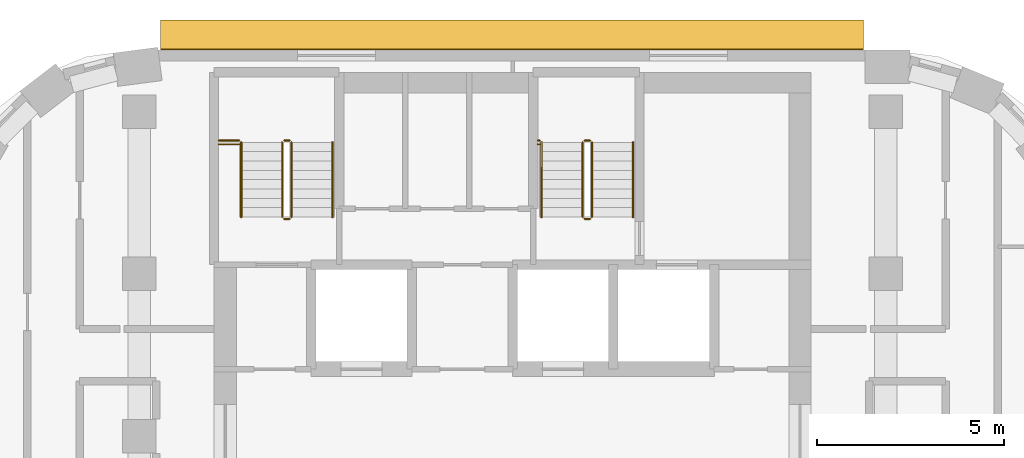
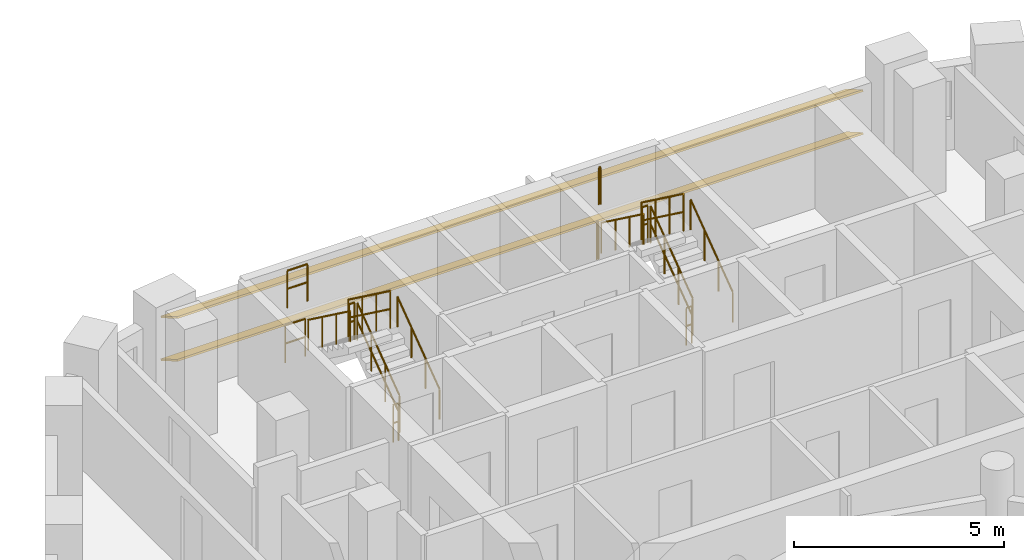
# One storey, part 17 of 18: 16 railings, 2 shading devices.
"""IFC4 building model written with IfcOpenShell, lengths in metres."""

import ifcopenshell
import ifcopenshell.guid

model = None  # the IFC model being written
_history = None  # IfcOwnerHistory: only IFC2X3 demands one
_inside = {}  # id of a spatial element -> (the spatial element, [elements in it])
_under = {}  # id of a project, library or spatial element -> (it, [spatial elements below it])
_declared = {}  # id of a project -> (the project, [libraries it declares])
_typed = {}  # id of a type object -> (the type object, [elements of that type])
_made_of = {}  # id of a material, layer set ... -> (it, [elements and type objects made of it])


def new_model(schema):
    """Start an empty IFC model of exactly this schema.

    Asked for "IFC4X3", IfcOpenShell would pick the latest addendum, in which some entities
    have other attributes; the version numbers below select the first issue.
    IFC2X3 requires an IfcOwnerHistory on every rooted entity: one is made here for all.
    """
    global model, _history
    if schema == "IFC4X3":
        model = ifcopenshell.file(schema_version=(4, 3, 0, 0))
    else:
        model = ifcopenshell.file(schema=schema)
    _inside.clear()
    _under.clear()
    _declared.clear()
    _typed.clear()
    _made_of.clear()
    _history = None
    if model.schema == "IFC2X3":
        org = make("IfcOrganization", Name="unknown")
        user = make(
            "IfcPersonAndOrganization",
            ThePerson=make("IfcPerson", FamilyName="unknown"),
            TheOrganization=org,
        )
        app = make(
            "IfcApplication",
            ApplicationDeveloper=org,
            Version="unknown",
            ApplicationFullName="unknown",
            ApplicationIdentifier="unknown",
        )
        _history = make(
            "IfcOwnerHistory",
            OwningUser=user,
            OwningApplication=app,
            ChangeAction="ADDED",
            CreationDate=0,
        )
    return model


def make(cls, **values):
    """One entity of the class cls with the attributes given. An attribute that is None is left unset."""
    return model.create_entity(
        cls, **{name: value for name, value in values.items() if value is not None}
    )


def rooted(cls, **values):
    """An entity with a GlobalId (a new one), such as an element, a storey or a relation."""
    return make(cls, GlobalId=ifcopenshell.guid.new(), OwnerHistory=_history, **values)


def si_unit(unit_type, name, prefix=None):
    """IfcSIUnit, for example si_unit("LENGTHUNIT", "METRE", prefix="MILLI")."""
    return make("IfcSIUnit", UnitType=unit_type, Prefix=prefix, Name=name)


def assignment(units):
    """IfcUnitAssignment: the units of a project."""
    return None if units is None else make("IfcUnitAssignment", Units=units)


def point(xyz):
    """IfcCartesianPoint."""
    return None if xyz is None else make("IfcCartesianPoint", Coordinates=xyz)


def direction(xyz):
    """IfcDirection."""
    return None if xyz is None else make("IfcDirection", DirectionRatios=xyz)


def frame(location, z_axis=None, x_axis=None):
    """IfcAxis2Placement3D, a coordinate frame: its origin and axes. An axis left out is left unset."""
    return make(
        "IfcAxis2Placement3D",
        Location=point(location),
        Axis=direction(z_axis),
        RefDirection=direction(x_axis),
    )


def frame_2d(location, x_axis=None):
    """IfcAxis2Placement2D, a coordinate frame in the plane: its origin and x axis."""
    return make(
        "IfcAxis2Placement2D", Location=point(location), RefDirection=direction(x_axis)
    )


def origin():
    """The frame at (0, 0, 0) with its axes left unset."""
    return frame((0.0, 0.0, 0.0))


def origin_2d():
    """The frame at (0, 0) in the plane with its x axis left unset."""
    return frame_2d((0.0, 0.0))


def place(relative_to, where):
    """IfcLocalPlacement: puts the frame where relative to a parent placement (None: the world)."""
    return make(
        "IfcLocalPlacement", PlacementRelTo=relative_to, RelativePlacement=where
    )


def context(
    kind, dimensions, precision=None, world=None, true_north=None, identifier=None
):
    """IfcGeometricRepresentationContext, for example the 3D "Model" context."""
    return make(
        "IfcGeometricRepresentationContext",
        ContextIdentifier=identifier,
        ContextType=kind,
        CoordinateSpaceDimension=dimensions,
        Precision=precision,
        WorldCoordinateSystem=world,
        TrueNorth=true_north,
    )


def subcontext(parent, identifier, kind, view, scale=None):
    """IfcGeometricRepresentationSubContext, for example "Body" below "Model"."""
    return make(
        "IfcGeometricRepresentationSubContext",
        ContextIdentifier=identifier,
        ContextType=kind,
        ParentContext=parent,
        TargetScale=scale,
        TargetView=view,
    )


def project(units=None, contexts=None):
    """IfcProject with its units and contexts."""
    return rooted(
        "IfcProject",
        Name="project",
        RepresentationContexts=contexts,
        UnitsInContext=assignment(units),
    )


def spatial(cls, under=None, at=None, **own):
    """A site, building, storey or space (cls), placed at a placement, below another one or the project."""
    s = rooted(cls, ObjectPlacement=at, **own)
    if under is not None:
        _under.setdefault(under.id(), (under, []))[1].append(s)
    return s


def profile(cls, at=None, kind="AREA", **sizes):
    """A parametric profile (cls). Its sizes go by their IFC names, for example OverallWidth=200.0."""
    return make(cls, ProfileType=kind, Position=at, **sizes)


def rectangle(**sizes):
    """IfcRectangleProfileDef."""
    return profile("IfcRectangleProfileDef", **sizes)


def circle(**sizes):
    """IfcCircleProfileDef."""
    return profile("IfcCircleProfileDef", **sizes)


def extrude(swept, where, along, depth):
    """IfcExtrudedAreaSolid: the profile swept, set in the frame where, extruded along a direction by depth."""
    return make(
        "IfcExtrudedAreaSolid",
        SweptArea=swept,
        Position=where,
        ExtrudedDirection=direction(along),
        Depth=depth,
    )


def shape(context_of_items, identifier, shape_type, items):
    """IfcShapeRepresentation: the items that make up one representation, for example the "Body"."""
    return make(
        "IfcShapeRepresentation",
        ContextOfItems=context_of_items,
        RepresentationIdentifier=identifier,
        RepresentationType=shape_type,
        Items=items,
    )


def material(Name=None, Category=None):
    """IfcMaterial."""
    return make("IfcMaterial", Name=Name, Category=Category)


def material_profile(
    of_material, cross_section, Name=None, Category=None, Priority=None
):
    """IfcMaterialProfile: a cross section and its material."""
    return make(
        "IfcMaterialProfile",
        Name=Name,
        Material=of_material,
        Profile=cross_section,
        Priority=Priority,
        Category=Category,
    )


def profile_set(profiles, Name=None, composite=None):
    """IfcMaterialProfileSet."""
    return make(
        "IfcMaterialProfileSet",
        Name=Name,
        MaterialProfiles=profiles,
        CompositeProfile=composite,
    )


def made_of(thing, what):
    """Note that an element or type object is made of a material, layer set ...; save() writes the relation."""
    if what is not None:
        _made_of.setdefault(what.id(), (what, []))[1].append(thing)
    return thing


def type_object(cls, material=None, **own):
    """A type object (cls), such as IfcWallType, which elements share."""
    return made_of(rooted(cls, **own), material)


def element(
    cls,
    number,
    at=None,
    inside=None,
    cuts=None,
    type_object=None,
    material=None,
    context=None,
    identifier="Body",
    shape_type=None,
    held_by="IfcProductDefinitionShape",
    body=None,
    shapes=None,
    **own,
):
    """One element of the class cls, such as IfcWall. Its Tag is "e" and its number.

    at: its placement. inside: the storey or other place that contains it. cuts: it is an
    opening in that element (IfcRelVoidsElement). A single representation is given by context,
    identifier, shape_type and body (its items); several are given by shapes. held_by: the class
    of the entity that holds the representations. save() writes the other relations.
    """
    e = rooted(cls, Tag="e%d" % number, ObjectPlacement=at, **own)
    if body is not None:
        shapes = [shape(context, identifier, shape_type, body)]
    if shapes is not None:
        e.Representation = make(held_by, Representations=shapes)
    if inside is not None:
        _inside.setdefault(inside.id(), (inside, []))[1].append(e)
    if cuts is not None:
        rooted(
            "IfcRelVoidsElement", RelatingBuildingElement=cuts, RelatedOpeningElement=e
        )
    if type_object is not None:
        _typed.setdefault(type_object.id(), (type_object, []))[1].append(e)
    return made_of(e, material)


def aggregate(whole, parts):
    """IfcRelAggregates: a whole, such as a stair, and the parts it consists of."""
    return rooted("IfcRelAggregates", RelatingObject=whole, RelatedObjects=parts)


def save(model, path):
    """Write the relations noted so far, then the file.

    IfcRelAggregates (storeys below a building ...), IfcRelContainedInSpatialStructure (elements
    in a storey), IfcRelDefinesByType, IfcRelAssociatesMaterial and IfcRelDeclares: one each for
    every whole, place, type object, material and project.
    """
    for whole, parts in _under.values():
        aggregate(whole, parts)
    for where, things in _inside.values():
        rooted(
            "IfcRelContainedInSpatialStructure",
            RelatedElements=things,
            RelatingStructure=where,
        )
    for kind, things in _typed.values():
        rooted("IfcRelDefinesByType", RelatedObjects=things, RelatingType=kind)
    for what, things in _made_of.values():
        rooted("IfcRelAssociatesMaterial", RelatedObjects=things, RelatingMaterial=what)
    for by, libraries in _declared.values():
        rooted("IfcRelDeclares", RelatingContext=by, RelatedDefinitions=libraries)
    model.write(path)


model = new_model("IFC4")

# Units and contexts
model_context = context("Model", 3, precision=1e-05, world=origin(), true_north=direction((0.0, 1.0)))
body_context = subcontext(model_context, "Body", "Model", "MODEL_VIEW")
ifc_project = project(units=[si_unit("LENGTHUNIT", "METRE"), si_unit("AREAUNIT", "SQUARE_METRE"), si_unit("VOLUMEUNIT", "CUBIC_METRE"), si_unit("PLANEANGLEUNIT", "RADIAN"), si_unit("MASSUNIT", "GRAM", prefix="KILO")], contexts=[model_context])

# Site, building, storey
site_placement = place(None, origin())
site = spatial("IfcSite", under=ifc_project, at=site_placement, CompositionType="ELEMENT")
building_placement = place(site_placement, origin())
building = spatial("IfcBuilding", under=site, at=building_placement, Name="Nakaniwa Court", CompositionType="ELEMENT")
storey_placement = place(building_placement, frame((0.0, 0.0, 180.0)))
storey = spatial("IfcBuildingStorey", under=building, at=storey_placement, Name="L46", CompositionType="ELEMENT", Elevation=180.0)

# Shading devices
ifc_material_1 = material(Name="Perforated charcoal ceramic louvre blade")
ifc_material_profile = material_profile(ifc_material_1, rectangle(XDim=0.89990234375, YDim=0.050048828125, at=origin_2d()), Name="Perforated ceramic louvre blade")
ifc_profile_set = profile_set([ifc_material_profile], Name="Perforated charcoal ceramic louvre blade")
shading_device_type = type_object("IfcShadingDeviceType", Name="Perforated ceramic louvre blade", PredefinedType="JALOUSIE", material=ifc_profile_set)
for number, where, z_axis, x_axis, name in (
    (1, (89.3994140625, 103.05224609375, 0.550048828125), (-1.0, 0.0, 0.0), (0.0, -0.866025403784, 0.5), "L46 perforated ceramic louvre blade w08 1"),
    (2, (89.3994140625, 103.05224609375, 1.793212890625), (-1.0, 0.0, 0.0), (0.0, -0.866025403784, 0.5), "L46 perforated ceramic louvre blade w08 2"),
):
    element("IfcShadingDevice", number, at=place(storey_placement, frame(where, z_axis=z_axis, x_axis=x_axis)), inside=storey, type_object=shading_device_type, Name=name, PredefinedType="JALOUSIE", context=body_context, shape_type="SweptSolid", body=[
        extrude(rectangle(XDim=0.89990234375, YDim=0.050048828125, at=origin_2d()), origin(), (0.0, 0.0, 1.0), 18.8330078125),
    ])

# Railings
ifc_material_2 = material(Name="Black powder coated steel guard", Category="steel")
railing_type_1 = type_object("IfcRailingType", Name="Stair guard 1100", PredefinedType="GUARDRAIL", material=ifc_material_2)
railing_1_placement = place(storey_placement, frame((74.074951171875, 98.175048828125, 0.183349609375)))
element("IfcRailing", 3, at=railing_1_placement, inside=storey, type_object=railing_type_1, Name="L46 ST1 stair guard 1", PredefinedType="GUARDRAIL", context=body_context, shape_type="SweptSolid", body=[
    extrude(circle(Radius=0.02392578125, at=origin_2d()), frame((0.0, 0.0, 1.076171875), z_axis=(0.0, 0.806426902644, 0.591333789573), x_axis=(-1.0, 0.0, 0.0)), (0.0, 0.0, 1.0), 2.47998046875),
    extrude(circle(Radius=0.02392578125, at=origin_2d()), frame((0.0, 0.0, 0.550048828125), z_axis=(0.0, 0.806426902644, 0.591333789573), x_axis=(-1.0, 0.0, 0.0)), (0.0, 0.0, 1.0), 2.47998046875),
    extrude(circle(Radius=0.02099609375, at=origin_2d()), origin(), (0.0, 0.0, 1.0), 1.052001953125),
    extrude(circle(Radius=0.02099609375, at=origin_2d()), frame((0.0, 0.666748046875, 0.48876953125)), (0.0, 0.0, 1.0), 1.052001953125),
    extrude(circle(Radius=0.02099609375, at=origin_2d()), frame((0.0, 1.333251953125, 0.977783203125)), (0.0, 0.0, 1.0), 1.052001953125),
    extrude(circle(Radius=0.02099609375, at=origin_2d()), frame((0.0, 2.0, 1.466552734375)), (0.0, 0.0, 1.0), 1.052001953125),
])
railing_2_placement = place(storey_placement, frame((74.02490234375, 100.22509765625, 1.64990234375)))
element("IfcRailing", 4, at=railing_2_placement, inside=storey, type_object=railing_type_1, Name="L46 ST1 stair guard 2", PredefinedType="GUARDRAIL", context=body_context, shape_type="SweptSolid", body=[
    extrude(circle(Radius=0.02392578125, at=origin_2d()), frame((0.0, 0.0, 1.076171875), z_axis=(-1.0, 0.0, 0.0), x_axis=(0.0, -1.0, 0.0)), (0.0, 0.0, 1.0), 0.14990234375),
    extrude(circle(Radius=0.02392578125, at=origin_2d()), frame((0.0, 0.0, 0.550048828125), z_axis=(-1.0, 0.0, 0.0), x_axis=(0.0, -1.0, 0.0)), (0.0, 0.0, 1.0), 0.14990234375),
    extrude(circle(Radius=0.02099609375, at=origin_2d()), origin(), (0.0, 0.0, 1.0), 1.052001953125),
    extrude(circle(Radius=0.02099609375, at=origin_2d()), frame((-0.14990234375, 0.0, 0.0)), (0.0, 0.0, 1.0), 1.052001953125),
])
railing_3_placement = place(storey_placement, frame((73.824951171875, 100.175048828125, 1.833251953125)))
element("IfcRailing", 5, at=railing_3_placement, inside=storey, type_object=railing_type_1, Name="L46 ST1 stair guard 3", PredefinedType="GUARDRAIL", context=body_context, shape_type="SweptSolid", body=[
    extrude(circle(Radius=0.02392578125, at=origin_2d()), frame((0.0, 0.0, 1.076171875), z_axis=(0.0, -0.806379959628, 0.591397802423), x_axis=(1.0, 0.0, 0.0)), (0.0, 0.0, 1.0), 2.480224609375),
    extrude(circle(Radius=0.02392578125, at=origin_2d()), frame((0.0, 0.0, 0.550048828125), z_axis=(0.0, -0.806379959628, 0.591397802423), x_axis=(1.0, 0.0, 0.0)), (0.0, 0.0, 1.0), 2.480224609375),
    extrude(circle(Radius=0.02099609375, at=origin_2d()), origin(), (0.0, 0.0, 1.0), 1.052001953125),
    extrude(circle(Radius=0.02099609375, at=origin_2d()), frame((0.0, -0.666748046875, 0.489013671875)), (0.0, 0.0, 1.0), 1.052001953125),
    extrude(circle(Radius=0.02099609375, at=origin_2d()), frame((0.0, -1.333251953125, 0.977783203125)), (0.0, 0.0, 1.0), 1.052001953125),
    extrude(circle(Radius=0.02099609375, at=origin_2d()), frame((0.0, -2.0, 1.466796875)), (0.0, 0.0, 1.0), 1.052001953125),
])
railing_4_placement = place(storey_placement, frame((74.02490234375, 98.125, 0.0)))
element("IfcRailing", 6, at=railing_4_placement, inside=storey, type_object=railing_type_1, Name="L46 ST1 stair guard 4", PredefinedType="GUARDRAIL", context=body_context, shape_type="SweptSolid", body=[
    extrude(circle(Radius=0.02392578125, at=origin_2d()), frame((0.0, 0.0, 1.076171875), z_axis=(-1.0, 0.0, 0.0), x_axis=(0.0, -1.0, 0.0)), (0.0, 0.0, 1.0), 0.14990234375),
    extrude(circle(Radius=0.02392578125, at=origin_2d()), frame((0.0, 0.0, 0.550048828125), z_axis=(-1.0, 0.0, 0.0), x_axis=(0.0, -1.0, 0.0)), (0.0, 0.0, 1.0), 0.14990234375),
    extrude(circle(Radius=0.02099609375, at=origin_2d()), origin(), (0.0, 0.0, 1.0), 1.052001953125),
    extrude(circle(Radius=0.02099609375, at=origin_2d()), frame((-0.14990234375, 0.0, 0.0)), (0.0, 0.0, 1.0), 1.052001953125),
])
for number, where, name in (
    (7, (72.125, 100.22509765625, 1.64990234375), "L46 ST1 landing side guard 1W"),
    (8, (72.125, 100.125, 3.300048828125), "L46 ST1 floor edge guard 1W"),
):
    element("IfcRailing", number, at=place(storey_placement, frame(where)), inside=storey, type_object=railing_type_1, Name=name, PredefinedType="GUARDRAIL", context=body_context, shape_type="SweptSolid", body=[
        extrude(circle(Radius=0.02392578125, at=origin_2d()), frame((0.0, 0.0, 1.076171875), z_axis=(1.0, 0.0, 0.0), x_axis=(0.0, 1.0, 0.0)), (0.0, 0.0, 1.0), 0.550048828125),
        extrude(circle(Radius=0.02392578125, at=origin_2d()), frame((0.0, 0.0, 0.550048828125), z_axis=(1.0, 0.0, 0.0), x_axis=(0.0, 1.0, 0.0)), (0.0, 0.0, 1.0), 0.550048828125),
        extrude(circle(Radius=0.02099609375, at=origin_2d()), origin(), (0.0, 0.0, 1.0), 1.052001953125),
        extrude(circle(Radius=0.02099609375, at=origin_2d()), frame((0.550048828125, 0.0, 0.0)), (0.0, 0.0, 1.0), 1.052001953125),
    ])
railing_5_placement = place(storey_placement, frame((82.125, 98.175048828125, 0.183349609375)))
element("IfcRailing", 9, at=railing_5_placement, inside=storey, type_object=railing_type_1, Name="L46 ST2 stair guard 1", PredefinedType="GUARDRAIL", context=body_context, shape_type="SweptSolid", body=[
    extrude(circle(Radius=0.02392578125, at=origin_2d()), frame((0.0, 0.0, 1.076171875), z_axis=(0.0, 0.806426902644, 0.591333789573), x_axis=(-1.0, 0.0, 0.0)), (0.0, 0.0, 1.0), 2.47998046875),
    extrude(circle(Radius=0.02392578125, at=origin_2d()), frame((0.0, 0.0, 0.550048828125), z_axis=(0.0, 0.806426902644, 0.591333789573), x_axis=(-1.0, 0.0, 0.0)), (0.0, 0.0, 1.0), 2.47998046875),
    extrude(circle(Radius=0.02099609375, at=origin_2d()), origin(), (0.0, 0.0, 1.0), 1.052001953125),
    extrude(circle(Radius=0.02099609375, at=origin_2d()), frame((0.0, 0.666748046875, 0.48876953125)), (0.0, 0.0, 1.0), 1.052001953125),
    extrude(circle(Radius=0.02099609375, at=origin_2d()), frame((0.0, 1.333251953125, 0.977783203125)), (0.0, 0.0, 1.0), 1.052001953125),
    extrude(circle(Radius=0.02099609375, at=origin_2d()), frame((0.0, 2.0, 1.466552734375)), (0.0, 0.0, 1.0), 1.052001953125),
])
railing_6_placement = place(storey_placement, frame((82.074951171875, 100.22509765625, 1.64990234375)))
element("IfcRailing", 10, at=railing_6_placement, inside=storey, type_object=railing_type_1, Name="L46 ST2 stair guard 2", PredefinedType="GUARDRAIL", context=body_context, shape_type="SweptSolid", body=[
    extrude(circle(Radius=0.02392578125, at=origin_2d()), frame((0.0, 0.0, 1.076171875), z_axis=(-1.0, 0.0, 0.0), x_axis=(0.0, -1.0, 0.0)), (0.0, 0.0, 1.0), 0.14990234375),
    extrude(circle(Radius=0.02392578125, at=origin_2d()), frame((0.0, 0.0, 0.550048828125), z_axis=(-1.0, 0.0, 0.0), x_axis=(0.0, -1.0, 0.0)), (0.0, 0.0, 1.0), 0.14990234375),
    extrude(circle(Radius=0.02099609375, at=origin_2d()), origin(), (0.0, 0.0, 1.0), 1.052001953125),
    extrude(circle(Radius=0.02099609375, at=origin_2d()), frame((-0.14990234375, 0.0, 0.0)), (0.0, 0.0, 1.0), 1.052001953125),
])
railing_7_placement = place(storey_placement, frame((81.875, 100.175048828125, 1.833251953125)))
element("IfcRailing", 11, at=railing_7_placement, inside=storey, type_object=railing_type_1, Name="L46 ST2 stair guard 3", PredefinedType="GUARDRAIL", context=body_context, shape_type="SweptSolid", body=[
    extrude(circle(Radius=0.02392578125, at=origin_2d()), frame((0.0, 0.0, 1.076171875), z_axis=(0.0, -0.806379959628, 0.591397802423), x_axis=(1.0, 0.0, 0.0)), (0.0, 0.0, 1.0), 2.480224609375),
    extrude(circle(Radius=0.02392578125, at=origin_2d()), frame((0.0, 0.0, 0.550048828125), z_axis=(0.0, -0.806379959628, 0.591397802423), x_axis=(1.0, 0.0, 0.0)), (0.0, 0.0, 1.0), 2.480224609375),
    extrude(circle(Radius=0.02099609375, at=origin_2d()), origin(), (0.0, 0.0, 1.0), 1.052001953125),
    extrude(circle(Radius=0.02099609375, at=origin_2d()), frame((0.0, -0.666748046875, 0.489013671875)), (0.0, 0.0, 1.0), 1.052001953125),
    extrude(circle(Radius=0.02099609375, at=origin_2d()), frame((0.0, -1.333251953125, 0.977783203125)), (0.0, 0.0, 1.0), 1.052001953125),
    extrude(circle(Radius=0.02099609375, at=origin_2d()), frame((0.0, -2.0, 1.466796875)), (0.0, 0.0, 1.0), 1.052001953125),
])
railing_8_placement = place(storey_placement, frame((82.074951171875, 98.125, 0.0)))
element("IfcRailing", 12, at=railing_8_placement, inside=storey, type_object=railing_type_1, Name="L46 ST2 stair guard 4", PredefinedType="GUARDRAIL", context=body_context, shape_type="SweptSolid", body=[
    extrude(circle(Radius=0.02392578125, at=origin_2d()), frame((0.0, 0.0, 1.076171875), z_axis=(-1.0, 0.0, 0.0), x_axis=(0.0, -1.0, 0.0)), (0.0, 0.0, 1.0), 0.14990234375),
    extrude(circle(Radius=0.02392578125, at=origin_2d()), frame((0.0, 0.0, 0.550048828125), z_axis=(-1.0, 0.0, 0.0), x_axis=(0.0, -1.0, 0.0)), (0.0, 0.0, 1.0), 0.14990234375),
    extrude(circle(Radius=0.02099609375, at=origin_2d()), origin(), (0.0, 0.0, 1.0), 1.052001953125),
    extrude(circle(Radius=0.02099609375, at=origin_2d()), frame((-0.14990234375, 0.0, 0.0)), (0.0, 0.0, 1.0), 1.052001953125),
])
for number, where, name in (
    (13, (80.675048828125, 100.22509765625, 1.64990234375), "L46 ST2 landing side guard 1W"),
    (14, (80.675048828125, 100.125, 3.300048828125), "L46 ST2 floor edge guard 1W"),
):
    element("IfcRailing", number, at=place(storey_placement, frame(where)), inside=storey, type_object=railing_type_1, Name=name, PredefinedType="GUARDRAIL", context=body_context, shape_type="SweptSolid", body=[
        extrude(circle(Radius=0.02392578125, at=origin_2d()), frame((0.0, 0.0, 1.076171875), z_axis=(1.0, 0.0, 0.0), x_axis=(0.0, 1.0, 0.0)), (0.0, 0.0, 1.0), 0.050048828125),
        extrude(circle(Radius=0.02392578125, at=origin_2d()), frame((0.0, 0.0, 0.550048828125), z_axis=(1.0, 0.0, 0.0), x_axis=(0.0, 1.0, 0.0)), (0.0, 0.0, 1.0), 0.050048828125),
        extrude(circle(Radius=0.02099609375, at=origin_2d()), origin(), (0.0, 0.0, 1.0), 1.052001953125),
        extrude(circle(Radius=0.02099609375, at=origin_2d()), frame((0.050048828125, 0.0, 0.0)), (0.0, 0.0, 1.0), 1.052001953125),
    ])
ifc_material_3 = material(Name="Black powder coated steel handrail", Category="steel")
railing_type_2 = type_object("IfcRailingType", Name="Stair handrail 900", PredefinedType="HANDRAIL", material=ifc_material_3)
railing_9_placement = place(storey_placement, frame((75.175048828125, 98.175048828125, 0.183349609375)))
element("IfcRailing", 15, at=railing_9_placement, inside=storey, type_object=railing_type_2, Name="L46 ST1 stair handrail 1", PredefinedType="HANDRAIL", context=body_context, shape_type="SweptSolid", body=[
    extrude(circle(Radius=0.02392578125, at=origin_2d()), frame((0.0, 0.0, 0.8759765625), z_axis=(0.0, 0.806426902644, 0.591333789573), x_axis=(-1.0, 0.0, 0.0)), (0.0, 0.0, 1.0), 2.47998046875),
    extrude(circle(Radius=0.02099609375, at=origin_2d()), origin(), (0.0, 0.0, 1.0), 0.851806640625),
    extrude(circle(Radius=0.02099609375, at=origin_2d()), frame((0.0, 0.666748046875, 0.48876953125)), (0.0, 0.0, 1.0), 0.851806640625),
    extrude(circle(Radius=0.02099609375, at=origin_2d()), frame((0.0, 1.333251953125, 0.977783203125)), (0.0, 0.0, 1.0), 0.851806640625),
    extrude(circle(Radius=0.02099609375, at=origin_2d()), frame((0.0, 2.0, 1.466552734375)), (0.0, 0.0, 1.0), 0.851806640625),
])
railing_10_placement = place(storey_placement, frame((72.72509765625, 100.175048828125, 1.833251953125)))
element("IfcRailing", 16, at=railing_10_placement, inside=storey, type_object=railing_type_2, Name="L46 ST1 stair handrail 2", PredefinedType="HANDRAIL", context=body_context, shape_type="SweptSolid", body=[
    extrude(circle(Radius=0.02392578125, at=origin_2d()), frame((0.0, 0.0, 0.8759765625), z_axis=(0.0, -0.806379959628, 0.591397802423), x_axis=(1.0, 0.0, 0.0)), (0.0, 0.0, 1.0), 2.480224609375),
    extrude(circle(Radius=0.02099609375, at=origin_2d()), origin(), (0.0, 0.0, 1.0), 0.851806640625),
    extrude(circle(Radius=0.02099609375, at=origin_2d()), frame((0.0, -0.666748046875, 0.489013671875)), (0.0, 0.0, 1.0), 0.851806640625),
    extrude(circle(Radius=0.02099609375, at=origin_2d()), frame((0.0, -1.333251953125, 0.977783203125)), (0.0, 0.0, 1.0), 0.851806640625),
    extrude(circle(Radius=0.02099609375, at=origin_2d()), frame((0.0, -2.0, 1.466796875)), (0.0, 0.0, 1.0), 0.851806640625),
])
railing_11_placement = place(storey_placement, frame((83.22509765625, 98.175048828125, 0.183349609375)))
element("IfcRailing", 17, at=railing_11_placement, inside=storey, type_object=railing_type_2, Name="L46 ST2 stair handrail 1", PredefinedType="HANDRAIL", context=body_context, shape_type="SweptSolid", body=[
    extrude(circle(Radius=0.02392578125, at=origin_2d()), frame((0.0, 0.0, 0.8759765625), z_axis=(0.0, 0.806426902644, 0.591333789573), x_axis=(-1.0, 0.0, 0.0)), (0.0, 0.0, 1.0), 2.47998046875),
    extrude(circle(Radius=0.02099609375, at=origin_2d()), origin(), (0.0, 0.0, 1.0), 0.851806640625),
    extrude(circle(Radius=0.02099609375, at=origin_2d()), frame((0.0, 0.666748046875, 0.48876953125)), (0.0, 0.0, 1.0), 0.851806640625),
    extrude(circle(Radius=0.02099609375, at=origin_2d()), frame((0.0, 1.333251953125, 0.977783203125)), (0.0, 0.0, 1.0), 0.851806640625),
    extrude(circle(Radius=0.02099609375, at=origin_2d()), frame((0.0, 2.0, 1.466552734375)), (0.0, 0.0, 1.0), 0.851806640625),
])
railing_12_placement = place(storey_placement, frame((80.77490234375, 100.175048828125, 1.833251953125)))
element("IfcRailing", 18, at=railing_12_placement, inside=storey, type_object=railing_type_2, Name="L46 ST2 stair handrail 2", PredefinedType="HANDRAIL", context=body_context, shape_type="SweptSolid", body=[
    extrude(circle(Radius=0.02392578125, at=origin_2d()), frame((0.0, 0.0, 0.8759765625), z_axis=(0.0, -0.806379959628, 0.591397802423), x_axis=(1.0, 0.0, 0.0)), (0.0, 0.0, 1.0), 2.480224609375),
    extrude(circle(Radius=0.02099609375, at=origin_2d()), origin(), (0.0, 0.0, 1.0), 0.851806640625),
    extrude(circle(Radius=0.02099609375, at=origin_2d()), frame((0.0, -0.666748046875, 0.489013671875)), (0.0, 0.0, 1.0), 0.851806640625),
    extrude(circle(Radius=0.02099609375, at=origin_2d()), frame((0.0, -1.333251953125, 0.977783203125)), (0.0, 0.0, 1.0), 0.851806640625),
    extrude(circle(Radius=0.02099609375, at=origin_2d()), frame((0.0, -2.0, 1.466796875)), (0.0, 0.0, 1.0), 0.851806640625),
])

save(model, "model.ifc")
